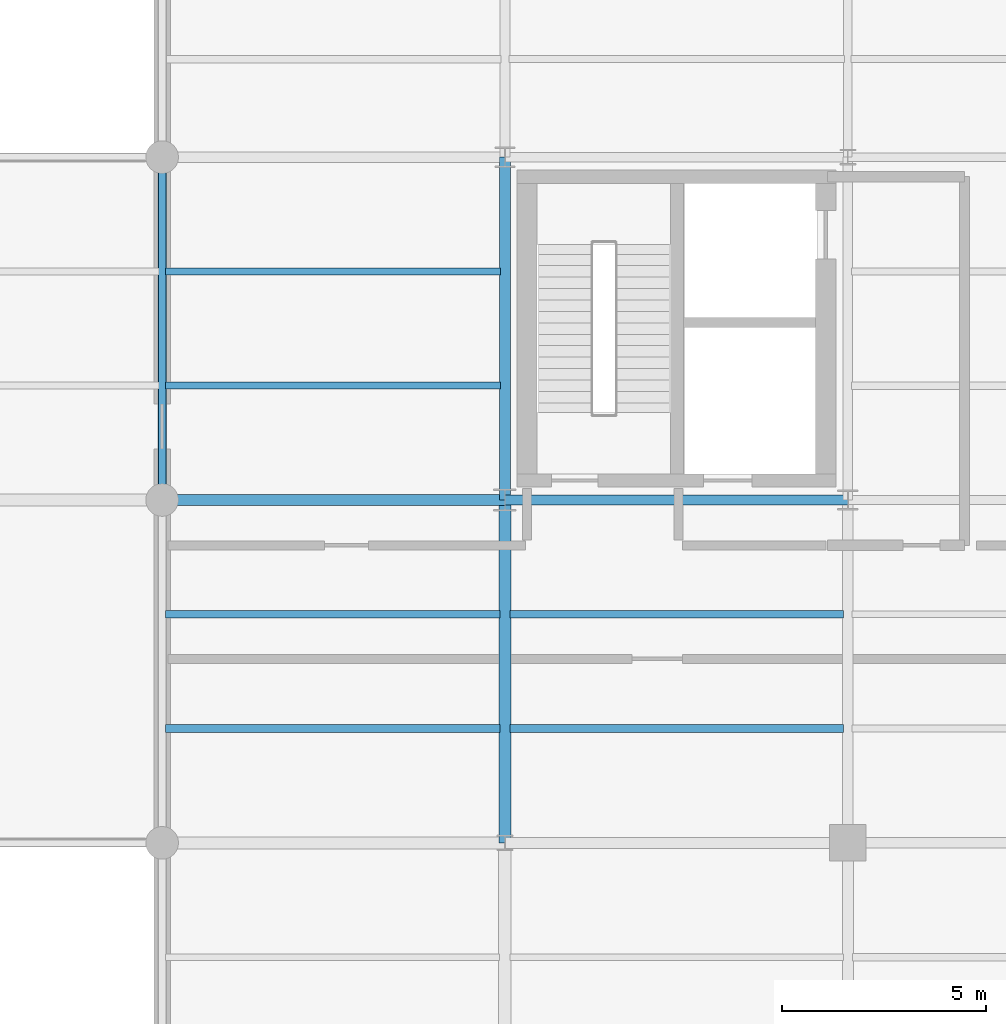
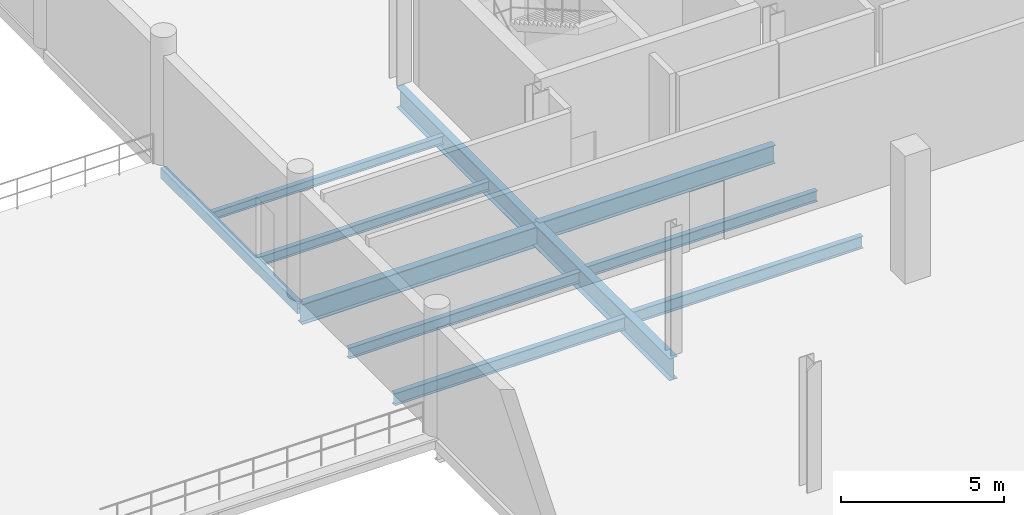
# One storey, part 49 of 109: 11 beams.
"""IFC4 building model written with IfcOpenShell, lengths in metres."""

from ifc_helpers import new_model, si_unit, direction, frame, origin_with_axes, origin_2d_with_axis, place, context, subcontext, project, spatial, hollow_rectangle, i_section, extrude, material, material_profile, profile_set, type_object, element, save


model = new_model("IFC4")

# Units and contexts
model_context = context("Model", 3, precision=1e-05, world=origin_with_axes(), true_north=direction((0.0, 1.0)))
body_context = subcontext(model_context, "Body", "Model", "MODEL_VIEW")
ifc_project = project(units=[si_unit("LENGTHUNIT", "METRE"), si_unit("AREAUNIT", "SQUARE_METRE"), si_unit("VOLUMEUNIT", "CUBIC_METRE"), si_unit("PLANEANGLEUNIT", "RADIAN"), si_unit("MASSUNIT", "GRAM", prefix="KILO"), si_unit("THERMODYNAMICTEMPERATUREUNIT", "KELVIN")], contexts=[model_context])

# Site, building, storey
site_placement = place(None, origin_with_axes())
site = spatial("IfcSite", under=ifc_project, at=site_placement, CompositionType="ELEMENT")
building_placement = place(site_placement, origin_with_axes())
building = spatial("IfcBuilding", under=site, at=building_placement, Name="Montbau Bow Law Courts", CompositionType="ELEMENT")
storey_placement = place(building_placement, frame((0.0, 0.0, 10.8), z_axis=(0.0, 0.0, 1.0), x_axis=(1.0, 0.0, 0.0)))
storey = spatial("IfcBuildingStorey", under=building, at=storey_placement, Name="L02", CompositionType="ELEMENT", Elevation=10.8)

# Beams
ifc_material_1 = material(Name="Steel CSA G40.21 Grade 350W (350 MPa)", Category="steel")
ifc_material_profile_1 = material_profile(ifc_material_1, i_section(OverallWidth=0.293, OverallDepth=0.846, WebThickness=0.0154, FlangeThickness=0.0244, at=origin_2d_with_axis()), Name="W840X210", Category="Main", Priority=0)
ifc_profile_set_1 = profile_set([ifc_material_profile_1], Name="Steel CSA G40.21 Grade 350W (350 MPa)")
beam_type_1 = type_object("IfcBeamType", Name="B-FLR-02", PredefinedType="BEAM", material=ifc_profile_set_1)
beam_1_placement = place(None, frame((130.2, 22.2, 10.157), z_axis=(0.0, 1.0, 0.0), x_axis=(-1.0, 0.0, 0.0)))
element("IfcBeam", 1, at=beam_1_placement, inside=storey, type_object=beam_type_1, Name="BM-L02-S1585:bm2_1588", PredefinedType="BEAM", context=body_context, shape_type="SweptSolid", body=[
    extrude(i_section(OverallWidth=0.293, OverallDepth=0.846, WebThickness=0.0154, FlangeThickness=0.0244, at=origin_2d_with_axis()), origin_with_axes(), (0.0, 0.0, 1.0), 8.4),
])
ifc_material_profile_2 = material_profile(ifc_material_1, i_section(OverallWidth=0.267, OverallDepth=0.766, WebThickness=0.0149, FlangeThickness=0.0236, at=origin_2d_with_axis()), Name="W760X185", Category="Main", Priority=0)
ifc_profile_set_2 = profile_set([ifc_material_profile_2], Name="Steel CSA G40.21 Grade 350W (350 MPa)")
beam_type_2 = type_object("IfcBeamType", Name="B-FLR-03", PredefinedType="BEAM", material=ifc_profile_set_2)
for number, where, z_axis, x_axis, name in (
    (2, (121.8, 30.6, 10.097), (1.0, 0.0, 0.0), (0.0, 1.0, 0.0), "BM-L02-S1548:bm2_1551"),
    (3, (130.2, 30.6, 10.197), (0.0, 1.0, 0.0), (-1.0, 0.0, 0.0), "BM-L02-S1586:bm2_1589"),
):
    element("IfcBeam", number, at=place(None, frame(where, z_axis=z_axis, x_axis=x_axis)), inside=storey, type_object=beam_type_2, Name=name, PredefinedType="BEAM", context=body_context, shape_type="SweptSolid", body=[
        extrude(i_section(OverallWidth=0.267, OverallDepth=0.766, WebThickness=0.0149, FlangeThickness=0.0236, at=origin_2d_with_axis()), origin_with_axes(), (0.0, 0.0, 1.0), 8.4),
    ])
ifc_material_profile_3 = material_profile(ifc_material_1, i_section(OverallWidth=0.254, OverallDepth=0.688, WebThickness=0.0131, FlangeThickness=0.0211, at=origin_2d_with_axis()), Name="W690X152", Category="Main", Priority=0)
ifc_profile_set_3 = profile_set([ifc_material_profile_3], Name="Steel CSA G40.21 Grade 350W (350 MPa)")
beam_type_3 = type_object("IfcBeamType", Name="B-FLR-04", PredefinedType="BEAM", material=ifc_profile_set_3)
beam_2_placement = place(None, frame((130.2, 30.6, 10.236), z_axis=(1.0, 0.0, 0.0), x_axis=(0.0, 1.0, 0.0)))
element("IfcBeam", 4, at=beam_2_placement, inside=storey, type_object=beam_type_3, Name="BM-L02-S1549:bm2_1552", PredefinedType="BEAM", context=body_context, shape_type="SweptSolid", body=[
    extrude(i_section(OverallWidth=0.254, OverallDepth=0.688, WebThickness=0.0131, FlangeThickness=0.0211, at=origin_2d_with_axis()), origin_with_axes(), (0.0, 0.0, 1.0), 8.4),
])
ifc_material_profile_4 = material_profile(ifc_material_1, i_section(OverallWidth=0.191, OverallDepth=0.46, WebThickness=0.0099, FlangeThickness=0.016, at=origin_2d_with_axis()), Name="W460X82", Category="Main", Priority=0)
ifc_profile_set_4 = profile_set([ifc_material_profile_4], Name="Steel CSA G40.21 Grade 350W (350 MPa)")
beam_type_4 = type_object("IfcBeamType", Name="B-JST-01", PredefinedType="JOIST", material=ifc_profile_set_4)
beam_3_placement = place(None, frame((121.88, 25.0, 10.25), z_axis=(1.0, 0.0, 0.0), x_axis=(0.0, 1.0, 0.0)))
element("IfcBeam", 5, at=beam_3_placement, inside=storey, type_object=beam_type_4, Name="JST-L02-S0880:jst2_0880", PredefinedType="JOIST", context=body_context, shape_type="SweptSolid", body=[
    extrude(i_section(OverallWidth=0.191, OverallDepth=0.46, WebThickness=0.0099, FlangeThickness=0.016, at=origin_2d_with_axis()), origin_with_axes(), (0.0, 0.0, 1.0), 8.197),
])
beam_4_placement = place(None, frame((130.322, 25.0, 10.35), z_axis=(1.0, 0.0, 0.0), x_axis=(0.0, 1.0, 0.0)))
element("IfcBeam", 6, at=beam_4_placement, inside=storey, type_object=beam_type_4, Name="JST-L02-S0892:jst2_0892", PredefinedType="JOIST", context=body_context, shape_type="SweptSolid", body=[
    extrude(i_section(OverallWidth=0.191, OverallDepth=0.46, WebThickness=0.0099, FlangeThickness=0.016, at=origin_2d_with_axis()), origin_with_axes(), (0.0, 0.0, 1.0), 8.175),
])
ifc_material_profile_5 = material_profile(ifc_material_1, i_section(OverallWidth=0.179, OverallDepth=0.41, WebThickness=0.0088, FlangeThickness=0.0144, at=origin_2d_with_axis()), Name="W410X67", Category="Main", Priority=0)
ifc_profile_set_5 = profile_set([ifc_material_profile_5], Name="Steel CSA G40.21 Grade 350W (350 MPa)")
beam_type_5 = type_object("IfcBeamType", Name="B-JST-02", PredefinedType="JOIST", material=ifc_profile_set_5)
beam_5_placement = place(None, frame((121.88, 27.8, 10.275), z_axis=(1.0, 0.0, 0.0), x_axis=(0.0, 1.0, 0.0)))
element("IfcBeam", 7, at=beam_5_placement, inside=storey, type_object=beam_type_5, Name="JST-L02-S0881:jst2_0881", PredefinedType="JOIST", context=body_context, shape_type="SweptSolid", body=[
    extrude(i_section(OverallWidth=0.179, OverallDepth=0.41, WebThickness=0.0088, FlangeThickness=0.0144, at=origin_2d_with_axis()), origin_with_axes(), (0.0, 0.0, 1.0), 8.197),
])
beam_6_placement = place(None, frame((130.322, 27.8, 10.375), z_axis=(1.0, 0.0, 0.0), x_axis=(0.0, 1.0, 0.0)))
element("IfcBeam", 8, at=beam_6_placement, inside=storey, type_object=beam_type_5, Name="JST-L02-S0893:jst2_0893", PredefinedType="JOIST", context=body_context, shape_type="SweptSolid", body=[
    extrude(i_section(OverallWidth=0.179, OverallDepth=0.41, WebThickness=0.0088, FlangeThickness=0.0144, at=origin_2d_with_axis()), origin_with_axes(), (0.0, 0.0, 1.0), 8.175),
])
ifc_material_profile_6 = material_profile(ifc_material_1, i_section(OverallWidth=0.172, OverallDepth=0.358, WebThickness=0.0079, FlangeThickness=0.0131, at=origin_2d_with_axis()), Name="W360X57", Category="Main", Priority=0)
ifc_profile_set_6 = profile_set([ifc_material_profile_6], Name="Steel CSA G40.21 Grade 350W (350 MPa)")
beam_type_6 = type_object("IfcBeamType", Name="B-JST-03", PredefinedType="JOIST", material=ifc_profile_set_6)
beam_7_placement = place(None, frame((121.88, 33.4, 10.301), z_axis=(1.0, 0.0, 0.0), x_axis=(0.0, 1.0, 0.0)))
element("IfcBeam", 9, at=beam_7_placement, inside=storey, type_object=beam_type_6, Name="JST-L02-S0882:jst2_0882", PredefinedType="JOIST", context=body_context, shape_type="SweptSolid", body=[
    extrude(i_section(OverallWidth=0.172, OverallDepth=0.358, WebThickness=0.0079, FlangeThickness=0.0131, at=origin_2d_with_axis()), origin_with_axes(), (0.0, 0.0, 1.0), 8.21),
])
ifc_material_profile_7 = material_profile(ifc_material_1, i_section(OverallWidth=0.166, OverallDepth=0.313, WebThickness=0.0066, FlangeThickness=0.0112, at=origin_2d_with_axis()), Name="W310X45", Category="Main", Priority=0)
ifc_profile_set_7 = profile_set([ifc_material_profile_7], Name="Steel CSA G40.21 Grade 350W (350 MPa)")
beam_type_7 = type_object("IfcBeamType", Name="B-JST-04", PredefinedType="JOIST", material=ifc_profile_set_7)
beam_8_placement = place(None, frame((121.88, 36.2, 10.324), z_axis=(1.0, 0.0, 0.0), x_axis=(0.0, 1.0, 0.0)))
element("IfcBeam", 10, at=beam_8_placement, inside=storey, type_object=beam_type_7, Name="JST-L02-S0883:jst2_0883", PredefinedType="JOIST", context=body_context, shape_type="SweptSolid", body=[
    extrude(i_section(OverallWidth=0.166, OverallDepth=0.313, WebThickness=0.0066, FlangeThickness=0.0112, at=origin_2d_with_axis()), origin_with_axes(), (0.0, 0.0, 1.0), 8.21),
])
ifc_material_2 = material(Name="Steel CSA G40.21 Grade 350WT (350 MPa)", Category="steel")
ifc_material_profile_8 = material_profile(ifc_material_2, hollow_rectangle(XDim=0.203, YDim=0.406, WallThickness=0.0127, InnerFilletRadius=0.0254, OuterFilletRadius=0.0127, at=origin_2d_with_axis()), Name="HSS406X203X13", Category="Main", Priority=0)
ifc_profile_set_8 = profile_set([ifc_material_profile_8], Name="Steel CSA G40.21 Grade 350WT (350 MPa)")
beam_type_8 = type_object("IfcBeamType", Name="B-SPN-01", PredefinedType="SPANDREL", material=ifc_profile_set_8)
beam_9_placement = place(None, frame((121.8, 30.6, 10.277), z_axis=(0.0, 1.0, 0.0), x_axis=(-1.0, 0.0, 0.0)))
element("IfcBeam", 11, at=beam_9_placement, inside=storey, type_object=beam_type_8, Name="SPN-L02-S0487:bm2_0490", PredefinedType="SPANDREL", context=body_context, shape_type="SweptSolid", body=[
    extrude(hollow_rectangle(XDim=0.203, YDim=0.406, WallThickness=0.0127, InnerFilletRadius=0.0254, OuterFilletRadius=0.0127, at=origin_2d_with_axis()), origin_with_axes(), (0.0, 0.0, 1.0), 8.4),
])

save(model, "model.ifc")
